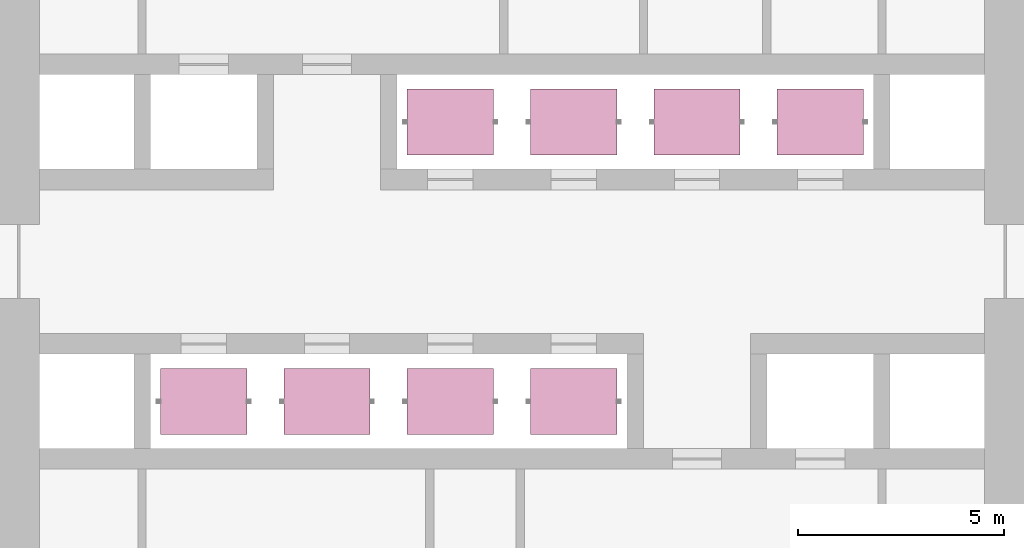
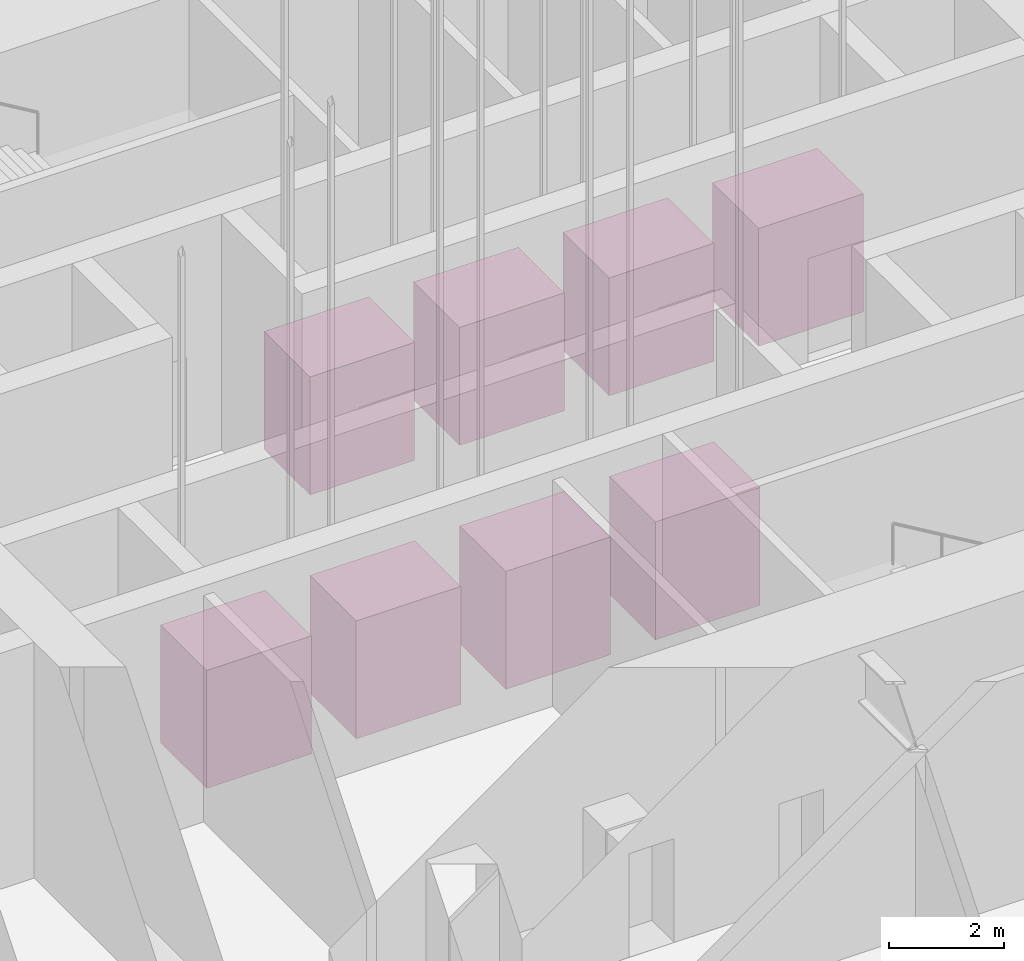
# One storey, part 14 of 15: 8 transport elements.
"""IFC4 building model written with IfcOpenShell, lengths in metres."""

import ifcopenshell
import ifcopenshell.guid

model = None  # the IFC model being written
_history = None  # IfcOwnerHistory: only IFC2X3 demands one
_inside = {}  # id of a spatial element -> (the spatial element, [elements in it])
_under = {}  # id of a project, library or spatial element -> (it, [spatial elements below it])
_declared = {}  # id of a project -> (the project, [libraries it declares])
_typed = {}  # id of a type object -> (the type object, [elements of that type])
_made_of = {}  # id of a material, layer set ... -> (it, [elements and type objects made of it])


def new_model(schema):
    """Start an empty IFC model of exactly this schema.

    Asked for "IFC4X3", IfcOpenShell would pick the latest addendum, in which some entities
    have other attributes; the version numbers below select the first issue.
    IFC2X3 requires an IfcOwnerHistory on every rooted entity: one is made here for all.
    """
    global model, _history
    if schema == "IFC4X3":
        model = ifcopenshell.file(schema_version=(4, 3, 0, 0))
    else:
        model = ifcopenshell.file(schema=schema)
    _inside.clear()
    _under.clear()
    _declared.clear()
    _typed.clear()
    _made_of.clear()
    _history = None
    if model.schema == "IFC2X3":
        org = make("IfcOrganization", Name="unknown")
        user = make(
            "IfcPersonAndOrganization",
            ThePerson=make("IfcPerson", FamilyName="unknown"),
            TheOrganization=org,
        )
        app = make(
            "IfcApplication",
            ApplicationDeveloper=org,
            Version="unknown",
            ApplicationFullName="unknown",
            ApplicationIdentifier="unknown",
        )
        _history = make(
            "IfcOwnerHistory",
            OwningUser=user,
            OwningApplication=app,
            ChangeAction="ADDED",
            CreationDate=0,
        )
    return model


def make(cls, **values):
    """One entity of the class cls with the attributes given. An attribute that is None is left unset."""
    return model.create_entity(
        cls, **{name: value for name, value in values.items() if value is not None}
    )


def rooted(cls, **values):
    """An entity with a GlobalId (a new one), such as an element, a storey or a relation."""
    return make(cls, GlobalId=ifcopenshell.guid.new(), OwnerHistory=_history, **values)


def si_unit(unit_type, name, prefix=None):
    """IfcSIUnit, for example si_unit("LENGTHUNIT", "METRE", prefix="MILLI")."""
    return make("IfcSIUnit", UnitType=unit_type, Prefix=prefix, Name=name)


def assignment(units):
    """IfcUnitAssignment: the units of a project."""
    return None if units is None else make("IfcUnitAssignment", Units=units)


def point(xyz):
    """IfcCartesianPoint."""
    return None if xyz is None else make("IfcCartesianPoint", Coordinates=xyz)


def direction(xyz):
    """IfcDirection."""
    return None if xyz is None else make("IfcDirection", DirectionRatios=xyz)


def frame(location, z_axis=None, x_axis=None):
    """IfcAxis2Placement3D, a coordinate frame: its origin and axes. An axis left out is left unset."""
    return make(
        "IfcAxis2Placement3D",
        Location=point(location),
        Axis=direction(z_axis),
        RefDirection=direction(x_axis),
    )


def frame_2d(location, x_axis=None):
    """IfcAxis2Placement2D, a coordinate frame in the plane: its origin and x axis."""
    return make(
        "IfcAxis2Placement2D", Location=point(location), RefDirection=direction(x_axis)
    )


def origin():
    """The frame at (0, 0, 0) with its axes left unset."""
    return frame((0.0, 0.0, 0.0))


def origin_2d():
    """The frame at (0, 0) in the plane with its x axis left unset."""
    return frame_2d((0.0, 0.0))


def place(relative_to, where):
    """IfcLocalPlacement: puts the frame where relative to a parent placement (None: the world)."""
    return make(
        "IfcLocalPlacement", PlacementRelTo=relative_to, RelativePlacement=where
    )


def context(
    kind, dimensions, precision=None, world=None, true_north=None, identifier=None
):
    """IfcGeometricRepresentationContext, for example the 3D "Model" context."""
    return make(
        "IfcGeometricRepresentationContext",
        ContextIdentifier=identifier,
        ContextType=kind,
        CoordinateSpaceDimension=dimensions,
        Precision=precision,
        WorldCoordinateSystem=world,
        TrueNorth=true_north,
    )


def subcontext(parent, identifier, kind, view, scale=None):
    """IfcGeometricRepresentationSubContext, for example "Body" below "Model"."""
    return make(
        "IfcGeometricRepresentationSubContext",
        ContextIdentifier=identifier,
        ContextType=kind,
        ParentContext=parent,
        TargetScale=scale,
        TargetView=view,
    )


def project(units=None, contexts=None):
    """IfcProject with its units and contexts."""
    return rooted(
        "IfcProject",
        Name="project",
        RepresentationContexts=contexts,
        UnitsInContext=assignment(units),
    )


def spatial(cls, under=None, at=None, **own):
    """A site, building, storey or space (cls), placed at a placement, below another one or the project."""
    s = rooted(cls, ObjectPlacement=at, **own)
    if under is not None:
        _under.setdefault(under.id(), (under, []))[1].append(s)
    return s


def profile(cls, at=None, kind="AREA", **sizes):
    """A parametric profile (cls). Its sizes go by their IFC names, for example OverallWidth=200.0."""
    return make(cls, ProfileType=kind, Position=at, **sizes)


def rectangle(**sizes):
    """IfcRectangleProfileDef."""
    return profile("IfcRectangleProfileDef", **sizes)


def extrude(swept, where, along, depth):
    """IfcExtrudedAreaSolid: the profile swept, set in the frame where, extruded along a direction by depth."""
    return make(
        "IfcExtrudedAreaSolid",
        SweptArea=swept,
        Position=where,
        ExtrudedDirection=direction(along),
        Depth=depth,
    )


def shape(context_of_items, identifier, shape_type, items):
    """IfcShapeRepresentation: the items that make up one representation, for example the "Body"."""
    return make(
        "IfcShapeRepresentation",
        ContextOfItems=context_of_items,
        RepresentationIdentifier=identifier,
        RepresentationType=shape_type,
        Items=items,
    )


def material(Name=None, Category=None):
    """IfcMaterial."""
    return make("IfcMaterial", Name=Name, Category=Category)


def made_of(thing, what):
    """Note that an element or type object is made of a material, layer set ...; save() writes the relation."""
    if what is not None:
        _made_of.setdefault(what.id(), (what, []))[1].append(thing)
    return thing


def type_object(cls, material=None, **own):
    """A type object (cls), such as IfcWallType, which elements share."""
    return made_of(rooted(cls, **own), material)


def element(
    cls,
    number,
    at=None,
    inside=None,
    cuts=None,
    type_object=None,
    material=None,
    context=None,
    identifier="Body",
    shape_type=None,
    held_by="IfcProductDefinitionShape",
    body=None,
    shapes=None,
    **own,
):
    """One element of the class cls, such as IfcWall. Its Tag is "e" and its number.

    at: its placement. inside: the storey or other place that contains it. cuts: it is an
    opening in that element (IfcRelVoidsElement). A single representation is given by context,
    identifier, shape_type and body (its items); several are given by shapes. held_by: the class
    of the entity that holds the representations. save() writes the other relations.
    """
    e = rooted(cls, Tag="e%d" % number, ObjectPlacement=at, **own)
    if body is not None:
        shapes = [shape(context, identifier, shape_type, body)]
    if shapes is not None:
        e.Representation = make(held_by, Representations=shapes)
    if inside is not None:
        _inside.setdefault(inside.id(), (inside, []))[1].append(e)
    if cuts is not None:
        rooted(
            "IfcRelVoidsElement", RelatingBuildingElement=cuts, RelatedOpeningElement=e
        )
    if type_object is not None:
        _typed.setdefault(type_object.id(), (type_object, []))[1].append(e)
    return made_of(e, material)


def aggregate(whole, parts):
    """IfcRelAggregates: a whole, such as a stair, and the parts it consists of."""
    return rooted("IfcRelAggregates", RelatingObject=whole, RelatedObjects=parts)


def save(model, path):
    """Write the relations noted so far, then the file.

    IfcRelAggregates (storeys below a building ...), IfcRelContainedInSpatialStructure (elements
    in a storey), IfcRelDefinesByType, IfcRelAssociatesMaterial and IfcRelDeclares: one each for
    every whole, place, type object, material and project.
    """
    for whole, parts in _under.values():
        aggregate(whole, parts)
    for where, things in _inside.values():
        rooted(
            "IfcRelContainedInSpatialStructure",
            RelatedElements=things,
            RelatingStructure=where,
        )
    for kind, things in _typed.values():
        rooted("IfcRelDefinesByType", RelatedObjects=things, RelatingType=kind)
    for what, things in _made_of.values():
        rooted("IfcRelAssociatesMaterial", RelatedObjects=things, RelatingMaterial=what)
    for by, libraries in _declared.values():
        rooted("IfcRelDeclares", RelatingContext=by, RelatedDefinitions=libraries)
    model.write(path)


model = new_model("IFC4")

# Units and contexts
model_context = context("Model", 3, precision=1e-05, world=origin(), true_north=direction((0.0, 1.0)))
body_context = subcontext(model_context, "Body", "Model", "MODEL_VIEW")
ifc_project = project(units=[si_unit("LENGTHUNIT", "METRE"), si_unit("AREAUNIT", "SQUARE_METRE"), si_unit("VOLUMEUNIT", "CUBIC_METRE"), si_unit("PLANEANGLEUNIT", "RADIAN"), si_unit("MASSUNIT", "GRAM", prefix="KILO")], contexts=[model_context])

# Site, building, storey
site_placement = place(None, origin())
site = spatial("IfcSite", under=ifc_project, at=site_placement, CompositionType="ELEMENT")
building_placement = place(site_placement, origin())
building = spatial("IfcBuilding", under=site, at=building_placement, Name="Tarfa Lantern Tower", CompositionType="ELEMENT")
storey_placement = place(building_placement, frame((0.0, 0.0, 210.5)))
storey = spatial("IfcBuildingStorey", under=building, at=storey_placement, Name="L47", CompositionType="ELEMENT", Elevation=210.5)

# Transport elements
ifc_material = material(Name="Steel lift car", Category="steel")
transport_element_type = type_object("IfcTransportElementType", Name="LT5 PASSENGER LIFT 1600 KG", PredefinedType="ELEVATOR", material=ifc_material)
for number, where, z_axis, x_axis, name in (
    (1, (-1.5, 3.39990234375, 0.0), (0.0, 0.0, 1.0), (1.0, 0.0, 0.0), "Lift PC1"),
    (2, (1.5, 3.39990234375, 0.0), (0.0, 0.0, 1.0), (1.0, 0.0, 0.0), "Lift PC2"),
    (3, (4.5, 3.39990234375, 0.0), (0.0, 0.0, 1.0), (1.0, 0.0, 0.0), "Lift PC3"),
    (4, (7.5, 3.39990234375, 0.0), (0.0, 0.0, 1.0), (1.0, 0.0, 0.0), "Lift PC4"),
    (5, (1.5, -3.39990234375, 0.0), (0.0, 0.0, 1.0), (1.0, 0.0, 0.0), "Lift PC5"),
    (6, (-1.5, -3.39990234375, 0.0), (0.0, 0.0, 1.0), (1.0, 0.0, 0.0), "Lift PC6"),
    (7, (-4.5, -3.39990234375, 0.0), (0.0, 0.0, 1.0), (1.0, 0.0, 0.0), "Lift PC7"),
    (8, (-7.5, -3.39990234375, 0.0), (0.0, 0.0, 1.0), (1.0, 0.0, 0.0), "Lift PC8"),
):
    element("IfcTransportElement", number, at=place(storey_placement, frame(where, z_axis=z_axis, x_axis=x_axis)), inside=storey, type_object=transport_element_type, Name=name, PredefinedType="ELEVATOR", context=body_context, shape_type="SweptSolid", body=[
        extrude(rectangle(XDim=2.10009765625, YDim=1.60009765625, at=origin_2d()), origin(), (0.0, 0.0, 1.0), 2.5),
    ])

save(model, "model.ifc")
